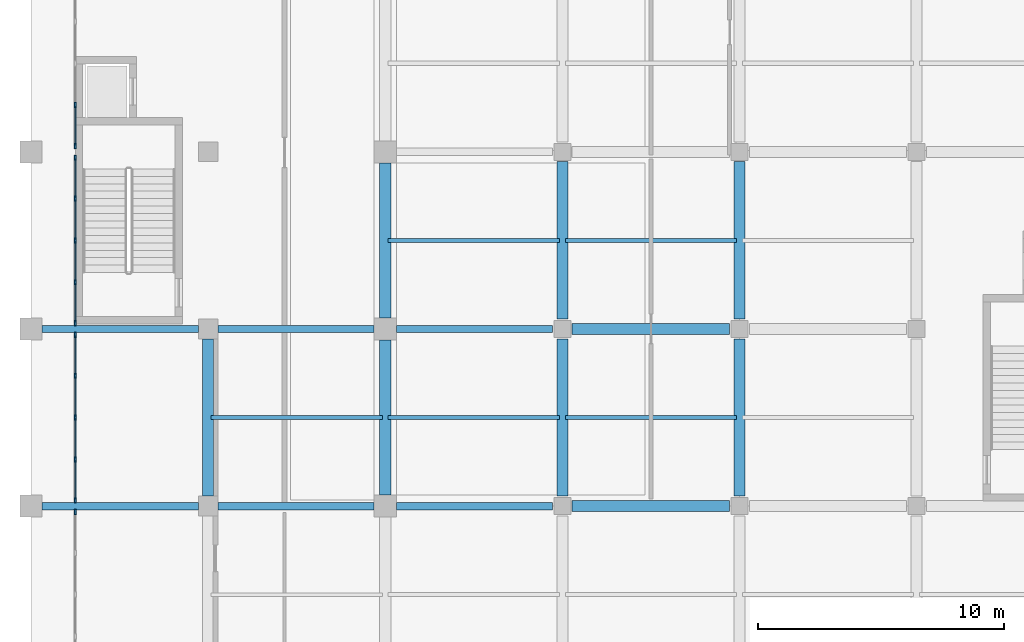
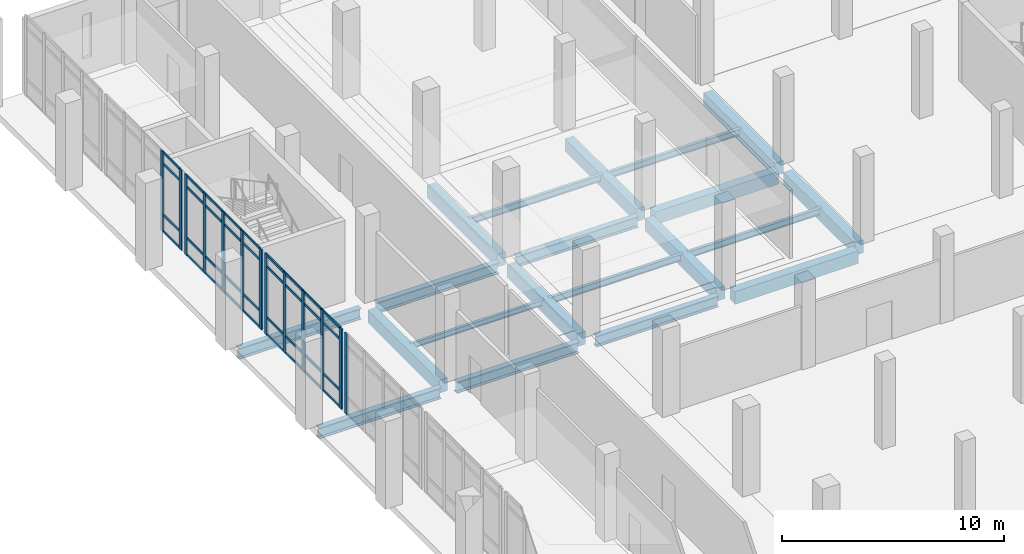
# One storey, part 20 of 59: 49 members, 20 beams, 4 elements without a shape of their own.
"""IFC4 building model written with IfcOpenShell, lengths in metres."""

from ifc_helpers import new_model, si_unit, direction, frame, origin, origin_2d, place, context, subcontext, project, spatial, rectangle, i_section, extrude, material, layer, layer_set, material_profile, profile_set, type_object, element, aggregate, save


model = new_model("IFC4")

# Units and contexts
model_context = context("Model", 3, precision=1e-05, world=origin(), true_north=direction((0.0, 1.0)))
body_context = subcontext(model_context, "Body", "Model", "MODEL_VIEW")
ifc_project = project(units=[si_unit("LENGTHUNIT", "METRE"), si_unit("AREAUNIT", "SQUARE_METRE"), si_unit("VOLUMEUNIT", "CUBIC_METRE"), si_unit("PLANEANGLEUNIT", "RADIAN"), si_unit("MASSUNIT", "GRAM", prefix="KILO")], contexts=[model_context])

# Site, building, storey
site_placement = place(None, origin())
site = spatial("IfcSite", under=ifc_project, at=site_placement, CompositionType="ELEMENT")
building_placement = place(site_placement, origin())
building = spatial("IfcBuilding", under=site, at=building_placement, Name="Valkovuoma Quantum and Materials Research Institute", CompositionType="ELEMENT")
storey_placement = place(building_placement, origin())
storey = spatial("IfcBuildingStorey", under=building, at=storey_placement, Name="L00", CompositionType="ELEMENT", Elevation=0.0)

# Beams
ifc_material_1 = material(Name="Steel S355J2", Category="steel")
ifc_material_profile_1 = material_profile(ifc_material_1, i_section(OverallWidth=0.300048828125, OverallDepth=0.60009765625, WebThickness=0.015380859375, FlangeThickness=0.030029296875, FilletRadius=0.027099609375, at=origin_2d()), Name="Steel S355J2")
ifc_profile_set_1 = profile_set([ifc_material_profile_1], Name="Steel S355J2")
beam_type_1 = type_object("IfcBeamType", Name="Beam-B-HEB600", PredefinedType="BEAM", material=ifc_profile_set_1)
beam_1_placement = place(storey_placement, frame((0.449951171875, 64.800048828125, -0.699951171875), z_axis=(1.0, 0.0, 0.0), x_axis=(0.0, 1.0, 0.0)))
element("IfcBeam", 1, at=beam_1_placement, inside=storey, type_object=beam_type_1, Name="L00 beam X-0112", PredefinedType="BEAM", context=body_context, shape_type="SweptSolid", body=[
    extrude(i_section(OverallWidth=0.300048828125, OverallDepth=0.60009765625, WebThickness=0.015380859375, FlangeThickness=0.030029296875, FilletRadius=0.027099609375, at=origin_2d()), origin(), (0.0, 0.0, 1.0), 6.35009765625),
])
for number, where, z_axis, x_axis, name in (
    (2, (7.60009765625, 64.800048828125, -0.699951171875), (1.0, 0.0, 0.0), (0.0, 1.0, 0.0), "L00 beam X-0113"),
    (3, (14.85009765625, 64.800048828125, -0.699951171875), (1.0, 0.0, 0.0), (0.0, 1.0, 0.0), "L00 beam X-0114"),
):
    element("IfcBeam", number, at=place(storey_placement, frame(where, z_axis=z_axis, x_axis=x_axis)), inside=storey, type_object=beam_type_1, Name=name, PredefinedType="BEAM", context=body_context, shape_type="SweptSolid", body=[
        extrude(i_section(OverallWidth=0.300048828125, OverallDepth=0.60009765625, WebThickness=0.015380859375, FlangeThickness=0.030029296875, FilletRadius=0.027099609375, at=origin_2d()), origin(), (0.0, 0.0, 1.0), 6.349853515625),
    ])
beam_2_placement = place(storey_placement, frame((0.449951171875, 72.0, -0.699951171875), z_axis=(1.0, 0.0, 0.0), x_axis=(0.0, 1.0, 0.0)))
element("IfcBeam", 4, at=beam_2_placement, inside=storey, type_object=beam_type_1, Name="L00 beam X-0131", PredefinedType="BEAM", context=body_context, shape_type="SweptSolid", body=[
    extrude(i_section(OverallWidth=0.300048828125, OverallDepth=0.60009765625, WebThickness=0.015380859375, FlangeThickness=0.030029296875, FilletRadius=0.027099609375, at=origin_2d()), origin(), (0.0, 0.0, 1.0), 6.35009765625),
])
for number, where, z_axis, x_axis, name in (
    (5, (7.60009765625, 72.0, -0.699951171875), (1.0, 0.0, 0.0), (0.0, 1.0, 0.0), "L00 beam X-0132"),
    (6, (14.85009765625, 72.0, -0.699951171875), (1.0, 0.0, 0.0), (0.0, 1.0, 0.0), "L00 beam X-0133"),
):
    element("IfcBeam", number, at=place(storey_placement, frame(where, z_axis=z_axis, x_axis=x_axis)), inside=storey, type_object=beam_type_1, Name=name, PredefinedType="BEAM", context=body_context, shape_type="SweptSolid", body=[
        extrude(i_section(OverallWidth=0.300048828125, OverallDepth=0.60009765625, WebThickness=0.015380859375, FlangeThickness=0.030029296875, FilletRadius=0.027099609375, at=origin_2d()), origin(), (0.0, 0.0, 1.0), 6.349853515625),
    ])
ifc_material_2 = material(Name="Steel S355J2", Category="steel")
ifc_material_profile_2 = material_profile(ifc_material_2, i_section(OverallWidth=0.14990234375, OverallDepth=0.300048828125, WebThickness=0.007080078125, FlangeThickness=0.0107421875, FilletRadius=0.014892578125, at=origin_2d()), Name="Steel S355J2")
ifc_profile_set_2 = profile_set([ifc_material_profile_2], Name="Steel S355J2")
beam_type_2 = type_object("IfcBeamType", Name="Beam-B-JST300", PredefinedType="JOIST", material=ifc_profile_set_2)
beam_3_placement = place(storey_placement, frame((7.320068359375, 68.39990234375, -0.550048828125), z_axis=(1.0, 0.0, 0.0), x_axis=(0.0, 1.0, 0.0)))
element("IfcBeam", 7, at=beam_3_placement, inside=storey, type_object=beam_type_2, Name="L00 floor joist 0488", PredefinedType="JOIST", context=body_context, shape_type="SweptSolid", body=[
    extrude(i_section(OverallWidth=0.14990234375, OverallDepth=0.300048828125, WebThickness=0.007080078125, FlangeThickness=0.0107421875, FilletRadius=0.014892578125, at=origin_2d()), origin(), (0.0, 0.0, 1.0), 6.9599609375),
])
ifc_material_3 = material(Name="Steel S355J2", Category="steel")
ifc_material_profile_3 = material_profile(ifc_material_3, i_section(OverallWidth=0.169921875, OverallDepth=0.360107421875, WebThickness=0.008056640625, FlangeThickness=0.0126953125, FilletRadius=0.01806640625, at=origin_2d()), Name="Steel S355J2")
ifc_profile_set_3 = profile_set([ifc_material_profile_3], Name="Steel S355J2")
beam_type_3 = type_object("IfcBeamType", Name="Beam-B-JST360", PredefinedType="JOIST", material=ifc_profile_set_3)
for number, where, z_axis, x_axis, name in (
    (8, (14.52001953125, 68.39990234375, -0.580078125), (1.0, 0.0, 0.0), (0.0, 1.0, 0.0), "L00 floor joist 0489"),
    (9, (21.719970703125, 68.39990234375, -0.580078125), (1.0, 0.0, 0.0), (0.0, 1.0, 0.0), "L00 floor joist 0490"),
    (10, (14.52001953125, 75.60009765625, -0.580078125), (1.0, 0.0, 0.0), (0.0, 1.0, 0.0), "L00 floor joist 0496"),
    (11, (21.719970703125, 75.60009765625, -0.580078125), (1.0, 0.0, 0.0), (0.0, 1.0, 0.0), "L00 floor joist 0497"),
):
    element("IfcBeam", number, at=place(storey_placement, frame(where, z_axis=z_axis, x_axis=x_axis)), inside=storey, type_object=beam_type_3, Name=name, PredefinedType="JOIST", context=body_context, shape_type="SweptSolid", body=[
        extrude(i_section(OverallWidth=0.169921875, OverallDepth=0.360107421875, WebThickness=0.008056640625, FlangeThickness=0.0126953125, FilletRadius=0.01806640625, at=origin_2d()), origin(), (0.0, 0.0, 1.0), 6.9599609375),
    ])
ifc_material_4 = material(Name="Concrete C40/50", Category="concrete")
ifc_material_profile_4 = material_profile(ifc_material_4, rectangle(XDim=0.449951171875, YDim=0.699951171875, at=origin_2d()), Name="Concrete C40/50")
ifc_profile_set_4 = profile_set([ifc_material_profile_4], Name="Concrete C40/50")
beam_type_4 = type_object("IfcBeamType", Name="Beam-B-RC700", PredefinedType="BEAM", material=ifc_profile_set_4)
for number, where, z_axis, x_axis, name in (
    (12, (22.0, 64.800048828125, -0.75), (1.0, 0.0, 0.0), (0.0, 1.0, 0.0), "L00 beam X-0115"),
    (13, (22.0, 72.0, -0.75), (1.0, 0.0, 0.0), (0.0, 1.0, 0.0), "L00 beam X-0134"),
):
    element("IfcBeam", number, at=place(storey_placement, frame(where, z_axis=z_axis, x_axis=x_axis)), inside=storey, type_object=beam_type_4, Name=name, PredefinedType="BEAM", context=body_context, shape_type="SweptSolid", body=[
        extrude(rectangle(XDim=0.449951171875, YDim=0.699951171875, at=origin_2d()), origin(), (0.0, 0.0, 1.0), 6.39990234375),
    ])
beam_4_placement = place(storey_placement, frame((7.199951171875, 65.199951171875, -0.75), z_axis=(0.0, 1.0, 0.0), x_axis=(-1.0, 0.0, 0.0)))
element("IfcBeam", 14, at=beam_4_placement, inside=storey, type_object=beam_type_4, Name="L00 beam Y-0203", PredefinedType="BEAM", context=body_context, shape_type="SweptSolid", body=[
    extrude(rectangle(XDim=0.449951171875, YDim=0.699951171875, at=origin_2d()), origin(), (0.0, 0.0, 1.0), 6.400146484375),
])
for number, where, z_axis, x_axis, name in (
    (15, (14.39990234375, 65.25, -0.75), (0.0, 1.0, 0.0), (-1.0, 0.0, 0.0), "L00 beam Y-0210"),
    (16, (14.39990234375, 72.449951171875, -0.75), (0.0, 1.0, 0.0), (-1.0, 0.0, 0.0), "L00 beam Y-0211"),
):
    element("IfcBeam", number, at=place(storey_placement, frame(where, z_axis=z_axis, x_axis=x_axis)), inside=storey, type_object=beam_type_4, Name=name, PredefinedType="BEAM", context=body_context, shape_type="SweptSolid", body=[
        extrude(rectangle(XDim=0.449951171875, YDim=0.699951171875, at=origin_2d()), origin(), (0.0, 0.0, 1.0), 6.300048828125),
    ])
for number, where, z_axis, x_axis, name in (
    (17, (21.60009765625, 65.199951171875, -0.75), (0.0, 1.0, 0.0), (-1.0, 0.0, 0.0), "L00 beam Y-0220"),
    (18, (21.60009765625, 72.39990234375, -0.75), (0.0, 1.0, 0.0), (-1.0, 0.0, 0.0), "L00 beam Y-0221"),
    (19, (28.800048828125, 65.199951171875, -0.75), (0.0, 1.0, 0.0), (-1.0, 0.0, 0.0), "L00 beam Y-0230"),
    (20, (28.800048828125, 72.39990234375, -0.75), (0.0, 1.0, 0.0), (-1.0, 0.0, 0.0), "L00 beam Y-0231"),
):
    element("IfcBeam", number, at=place(storey_placement, frame(where, z_axis=z_axis, x_axis=x_axis)), inside=storey, type_object=beam_type_4, Name=name, PredefinedType="BEAM", context=body_context, shape_type="SweptSolid", body=[
        extrude(rectangle(XDim=0.449951171875, YDim=0.699951171875, at=origin_2d()), origin(), (0.0, 0.0, 1.0), 6.400146484375),
    ])

# Curtain wall, member
ifc_material_5 = material(Name="Thermally broken aluminium and triple low-E glazing", Category="aluminium")
ifc_layer = layer(ifc_material_5, 0.219970703125)
ifc_layer_set = layer_set([ifc_layer], Name="Thermally broken aluminium and triple low-E glazing")
curtain_wall_type = type_object("IfcCurtainWallType", Name="CW-CW-03", PredefinedType="NOTDEFINED", material=ifc_layer_set)
curtain_wall_1_placement = place(storey_placement, origin())
curtain_wall_1 = element("IfcCurtainWall", 21, at=curtain_wall_1_placement, inside=storey, type_object=curtain_wall_type, Name="L00 curtain wall 004", PredefinedType="NOTDEFINED")
ifc_material_6 = material(Name="Anodised aluminium 6060-T66", Category="aluminium")
ifc_material_profile_5 = material_profile(ifc_material_6, rectangle(XDim=0.074951171875, YDim=0.219970703125, at=origin_2d()), Name="Anodised aluminium 6060-T66")
ifc_profile_set_5 = profile_set([ifc_material_profile_5], Name="Anodised aluminium 6060-T66")
member_type_1 = type_object("IfcMemberType", Name="CWMull-CWM-02", PredefinedType="MULLION", material=ifc_profile_set_5)
member_1_placement = place(storey_placement, frame((1.800048828125, 64.5625, 0.0), z_axis=(0.0, 0.0, 1.0), x_axis=(-1.0, 0.0, 0.0)))
member_1 = element("IfcMember", 22, at=member_1_placement, type_object=member_type_1, Name="CW-03 mullion 5", PredefinedType="MULLION", context=body_context, shape_type="SweptSolid", body=[
    extrude(rectangle(XDim=0.074951171875, YDim=0.219970703125, at=origin_2d()), origin(), (0.0, 0.0, 1.0), 4.39990234375),
])
aggregate(curtain_wall_1, [member_1])

# Curtain wall, members
curtain_wall_2_placement = place(storey_placement, origin())
curtain_wall_2 = element("IfcCurtainWall", 23, at=curtain_wall_2_placement, inside=storey, type_object=curtain_wall_type, Name="L00 curtain wall 005", PredefinedType="NOTDEFINED")
member_2_placement = place(storey_placement, frame((1.800048828125, 65.03759765625, 0.0), z_axis=(0.0, 0.0, 1.0), x_axis=(-1.0, 0.0, 0.0)))
member_2 = element("IfcMember", 24, at=member_2_placement, type_object=member_type_1, Name="CW-03 mullion 1", PredefinedType="MULLION", context=body_context, shape_type="SweptSolid", body=[
    extrude(rectangle(XDim=0.074951171875, YDim=0.219970703125, at=origin_2d()), origin(), (0.0, 0.0, 1.0), 4.39990234375),
])
member_3_placement = place(storey_placement, frame((1.800048828125, 66.699951171875, 0.0), z_axis=(0.0, 0.0, 1.0), x_axis=(-1.0, 0.0, 0.0)))
member_3 = element("IfcMember", 25, at=member_3_placement, type_object=member_type_1, Name="CW-03 mullion 2", PredefinedType="MULLION", context=body_context, shape_type="SweptSolid", body=[
    extrude(rectangle(XDim=0.074951171875, YDim=0.219970703125, at=origin_2d()), origin(), (0.0, 0.0, 1.0), 4.39990234375),
])
member_4_placement = place(storey_placement, frame((1.800048828125, 68.39990234375, 0.0), z_axis=(0.0, 0.0, 1.0), x_axis=(-1.0, 0.0, 0.0)))
member_4 = element("IfcMember", 26, at=member_4_placement, type_object=member_type_1, Name="CW-03 mullion 3", PredefinedType="MULLION", context=body_context, shape_type="SweptSolid", body=[
    extrude(rectangle(XDim=0.074951171875, YDim=0.219970703125, at=origin_2d()), origin(), (0.0, 0.0, 1.0), 4.39990234375),
])
member_5_placement = place(storey_placement, frame((1.800048828125, 70.10009765625, 0.0), z_axis=(0.0, 0.0, 1.0), x_axis=(-1.0, 0.0, 0.0)))
member_5 = element("IfcMember", 27, at=member_5_placement, type_object=member_type_1, Name="CW-03 mullion 4", PredefinedType="MULLION", context=body_context, shape_type="SweptSolid", body=[
    extrude(rectangle(XDim=0.074951171875, YDim=0.219970703125, at=origin_2d()), origin(), (0.0, 0.0, 1.0), 4.39990234375),
])
member_6_placement = place(storey_placement, frame((1.800048828125, 71.762451171875, 0.0), z_axis=(0.0, 0.0, 1.0), x_axis=(-1.0, 0.0, 0.0)))
member_6 = element("IfcMember", 28, at=member_6_placement, type_object=member_type_1, Name="CW-03 mullion 5", PredefinedType="MULLION", context=body_context, shape_type="SweptSolid", body=[
    extrude(rectangle(XDim=0.074951171875, YDim=0.219970703125, at=origin_2d()), origin(), (0.0, 0.0, 1.0), 4.39990234375),
])

curtain_wall_3_placement = place(storey_placement, origin())
curtain_wall_3 = element("IfcCurtainWall", 29, at=curtain_wall_3_placement, inside=storey, type_object=curtain_wall_type, Name="L00 curtain wall CW-L00-V5-10", PredefinedType="NOTDEFINED")
member_7_placement = place(storey_placement, frame((1.800048828125, 72.237548828125, 0.0), z_axis=(0.0, 0.0, 1.0), x_axis=(-1.0, 0.0, 0.0)))
member_7 = element("IfcMember", 30, at=member_7_placement, type_object=member_type_1, Name="CW-03 mullion 1", PredefinedType="MULLION", context=body_context, shape_type="SweptSolid", body=[
    extrude(rectangle(XDim=0.074951171875, YDim=0.219970703125, at=origin_2d()), origin(), (0.0, 0.0, 1.0), 4.39990234375),
])
member_8_placement = place(storey_placement, frame((1.800048828125, 73.89990234375, 0.0), z_axis=(0.0, 0.0, 1.0), x_axis=(-1.0, 0.0, 0.0)))
member_8 = element("IfcMember", 31, at=member_8_placement, type_object=member_type_1, Name="CW-03 mullion 2", PredefinedType="MULLION", context=body_context, shape_type="SweptSolid", body=[
    extrude(rectangle(XDim=0.074951171875, YDim=0.219970703125, at=origin_2d()), origin(), (0.0, 0.0, 1.0), 4.39990234375),
])
member_9_placement = place(storey_placement, frame((1.800048828125, 75.60009765625, 0.0), z_axis=(0.0, 0.0, 1.0), x_axis=(-1.0, 0.0, 0.0)))
member_9 = element("IfcMember", 32, at=member_9_placement, type_object=member_type_1, Name="CW-03 mullion 3", PredefinedType="MULLION", context=body_context, shape_type="SweptSolid", body=[
    extrude(rectangle(XDim=0.074951171875, YDim=0.219970703125, at=origin_2d()), origin(), (0.0, 0.0, 1.0), 4.39990234375),
])
member_10_placement = place(storey_placement, frame((1.800048828125, 77.300048828125, 0.0), z_axis=(0.0, 0.0, 1.0), x_axis=(-1.0, 0.0, 0.0)))
member_10 = element("IfcMember", 33, at=member_10_placement, type_object=member_type_1, Name="CW-03 mullion 4", PredefinedType="MULLION", context=body_context, shape_type="SweptSolid", body=[
    extrude(rectangle(XDim=0.074951171875, YDim=0.219970703125, at=origin_2d()), origin(), (0.0, 0.0, 1.0), 4.39990234375),
])
member_11_placement = place(storey_placement, frame((1.800048828125, 78.96240234375, 0.0), z_axis=(0.0, 0.0, 1.0), x_axis=(-1.0, 0.0, 0.0)))
member_11 = element("IfcMember", 34, at=member_11_placement, type_object=member_type_1, Name="CW-03 mullion 5", PredefinedType="MULLION", context=body_context, shape_type="SweptSolid", body=[
    extrude(rectangle(XDim=0.074951171875, YDim=0.219970703125, at=origin_2d()), origin(), (0.0, 0.0, 1.0), 4.39990234375),
])

curtain_wall_4_placement = place(storey_placement, origin())
curtain_wall_4 = element("IfcCurtainWall", 35, at=curtain_wall_4_placement, inside=storey, type_object=curtain_wall_type, Name="L00 curtain wall 006", PredefinedType="NOTDEFINED")
member_12_placement = place(storey_placement, frame((1.800048828125, 79.4375, 0.0), z_axis=(0.0, 0.0, 1.0), x_axis=(-1.0, 0.0, 0.0)))
member_12 = element("IfcMember", 36, at=member_12_placement, type_object=member_type_1, Name="CW-03 mullion 1", PredefinedType="MULLION", context=body_context, shape_type="SweptSolid", body=[
    extrude(rectangle(XDim=0.074951171875, YDim=0.219970703125, at=origin_2d()), origin(), (0.0, 0.0, 1.0), 4.39990234375),
])
member_13_placement = place(storey_placement, frame((1.800048828125, 81.10009765625, 0.0), z_axis=(0.0, 0.0, 1.0), x_axis=(-1.0, 0.0, 0.0)))
member_13 = element("IfcMember", 37, at=member_13_placement, type_object=member_type_1, Name="CW-03 mullion 2", PredefinedType="MULLION", context=body_context, shape_type="SweptSolid", body=[
    extrude(rectangle(XDim=0.074951171875, YDim=0.219970703125, at=origin_2d()), origin(), (0.0, 0.0, 1.0), 4.39990234375),
])

# Member
ifc_material_7 = material(Name="Anodised aluminium 6060-T66", Category="aluminium")
ifc_material_profile_6 = material_profile(ifc_material_7, rectangle(XDim=0.06494140625, YDim=0.139892578125, at=origin_2d()), Name="Anodised aluminium 6060-T66")
ifc_profile_set_6 = profile_set([ifc_material_profile_6], Name="Anodised aluminium 6060-T66")
member_type_2 = type_object("IfcMemberType", Name="CWTran-CWT-01", PredefinedType="USERDEFINED", material=ifc_profile_set_6)
member_14_placement = place(storey_placement, frame((1.800048828125, 65.074951171875, 0.032470703125), z_axis=(0.0, 1.0, 0.0), x_axis=(-1.0, 0.0, 0.0)))
member_14 = element("IfcMember", 38, at=member_14_placement, type_object=member_type_2, Name="CW-03 transom 1.1", ObjectType="TRANSOM", PredefinedType="USERDEFINED", context=body_context, shape_type="SweptSolid", body=[
    extrude(rectangle(XDim=0.06494140625, YDim=0.139892578125, at=origin_2d()), origin(), (0.0, 0.0, 1.0), 1.587646484375),
])

member_15_placement = place(storey_placement, frame((1.800048828125, 65.074951171875, 0.949951171875), z_axis=(0.0, 1.0, 0.0), x_axis=(-1.0, 0.0, 0.0)))
member_15 = element("IfcMember", 39, at=member_15_placement, type_object=member_type_2, Name="CW-03 transom 1.2", ObjectType="TRANSOM", PredefinedType="USERDEFINED", context=body_context, shape_type="SweptSolid", body=[
    extrude(rectangle(XDim=0.06494140625, YDim=0.139892578125, at=origin_2d()), origin(), (0.0, 0.0, 1.0), 1.587646484375),
])

member_16_placement = place(storey_placement, frame((1.800048828125, 65.074951171875, 3.75), z_axis=(0.0, 1.0, 0.0), x_axis=(-1.0, 0.0, 0.0)))
member_16 = element("IfcMember", 40, at=member_16_placement, type_object=member_type_2, Name="CW-03 transom 1.3", ObjectType="TRANSOM", PredefinedType="USERDEFINED", context=body_context, shape_type="SweptSolid", body=[
    extrude(rectangle(XDim=0.06494140625, YDim=0.139892578125, at=origin_2d()), origin(), (0.0, 0.0, 1.0), 1.587646484375),
])

member_17_placement = place(storey_placement, frame((1.800048828125, 65.074951171875, 4.367431640625), z_axis=(0.0, 1.0, 0.0), x_axis=(-1.0, 0.0, 0.0)))
member_17 = element("IfcMember", 41, at=member_17_placement, type_object=member_type_2, Name="CW-03 transom 1.4", ObjectType="TRANSOM", PredefinedType="USERDEFINED", context=body_context, shape_type="SweptSolid", body=[
    extrude(rectangle(XDim=0.06494140625, YDim=0.139892578125, at=origin_2d()), origin(), (0.0, 0.0, 1.0), 1.587646484375),
])

member_18_placement = place(storey_placement, frame((1.800048828125, 66.737548828125, 0.032470703125), z_axis=(0.0, 1.0, 0.0), x_axis=(-1.0, 0.0, 0.0)))
member_18 = element("IfcMember", 42, at=member_18_placement, type_object=member_type_2, Name="CW-03 transom 2.1", ObjectType="TRANSOM", PredefinedType="USERDEFINED", context=body_context, shape_type="SweptSolid", body=[
    extrude(rectangle(XDim=0.06494140625, YDim=0.139892578125, at=origin_2d()), origin(), (0.0, 0.0, 1.0), 1.625),
])

member_19_placement = place(storey_placement, frame((1.800048828125, 66.737548828125, 0.949951171875), z_axis=(0.0, 1.0, 0.0), x_axis=(-1.0, 0.0, 0.0)))
member_19 = element("IfcMember", 43, at=member_19_placement, type_object=member_type_2, Name="CW-03 transom 2.2", ObjectType="TRANSOM", PredefinedType="USERDEFINED", context=body_context, shape_type="SweptSolid", body=[
    extrude(rectangle(XDim=0.06494140625, YDim=0.139892578125, at=origin_2d()), origin(), (0.0, 0.0, 1.0), 1.625),
])

member_20_placement = place(storey_placement, frame((1.800048828125, 66.737548828125, 3.75), z_axis=(0.0, 1.0, 0.0), x_axis=(-1.0, 0.0, 0.0)))
member_20 = element("IfcMember", 44, at=member_20_placement, type_object=member_type_2, Name="CW-03 transom 2.3", ObjectType="TRANSOM", PredefinedType="USERDEFINED", context=body_context, shape_type="SweptSolid", body=[
    extrude(rectangle(XDim=0.06494140625, YDim=0.139892578125, at=origin_2d()), origin(), (0.0, 0.0, 1.0), 1.625),
])

member_21_placement = place(storey_placement, frame((1.800048828125, 66.737548828125, 4.367431640625), z_axis=(0.0, 1.0, 0.0), x_axis=(-1.0, 0.0, 0.0)))
member_21 = element("IfcMember", 45, at=member_21_placement, type_object=member_type_2, Name="CW-03 transom 2.4", ObjectType="TRANSOM", PredefinedType="USERDEFINED", context=body_context, shape_type="SweptSolid", body=[
    extrude(rectangle(XDim=0.06494140625, YDim=0.139892578125, at=origin_2d()), origin(), (0.0, 0.0, 1.0), 1.625),
])

member_22_placement = place(storey_placement, frame((1.800048828125, 68.4375, 0.032470703125), z_axis=(0.0, 1.0, 0.0), x_axis=(-1.0, 0.0, 0.0)))
member_22 = element("IfcMember", 46, at=member_22_placement, type_object=member_type_2, Name="CW-03 transom 3.1", ObjectType="TRANSOM", PredefinedType="USERDEFINED", context=body_context, shape_type="SweptSolid", body=[
    extrude(rectangle(XDim=0.06494140625, YDim=0.139892578125, at=origin_2d()), origin(), (0.0, 0.0, 1.0), 1.625),
])

member_23_placement = place(storey_placement, frame((1.800048828125, 68.4375, 0.949951171875), z_axis=(0.0, 1.0, 0.0), x_axis=(-1.0, 0.0, 0.0)))
member_23 = element("IfcMember", 47, at=member_23_placement, type_object=member_type_2, Name="CW-03 transom 3.2", ObjectType="TRANSOM", PredefinedType="USERDEFINED", context=body_context, shape_type="SweptSolid", body=[
    extrude(rectangle(XDim=0.06494140625, YDim=0.139892578125, at=origin_2d()), origin(), (0.0, 0.0, 1.0), 1.625),
])

member_24_placement = place(storey_placement, frame((1.800048828125, 68.4375, 3.75), z_axis=(0.0, 1.0, 0.0), x_axis=(-1.0, 0.0, 0.0)))
member_24 = element("IfcMember", 48, at=member_24_placement, type_object=member_type_2, Name="CW-03 transom 3.3", ObjectType="TRANSOM", PredefinedType="USERDEFINED", context=body_context, shape_type="SweptSolid", body=[
    extrude(rectangle(XDim=0.06494140625, YDim=0.139892578125, at=origin_2d()), origin(), (0.0, 0.0, 1.0), 1.625),
])

member_25_placement = place(storey_placement, frame((1.800048828125, 68.4375, 4.367431640625), z_axis=(0.0, 1.0, 0.0), x_axis=(-1.0, 0.0, 0.0)))
member_25 = element("IfcMember", 49, at=member_25_placement, type_object=member_type_2, Name="CW-03 transom 3.4", ObjectType="TRANSOM", PredefinedType="USERDEFINED", context=body_context, shape_type="SweptSolid", body=[
    extrude(rectangle(XDim=0.06494140625, YDim=0.139892578125, at=origin_2d()), origin(), (0.0, 0.0, 1.0), 1.625),
])

member_26_placement = place(storey_placement, frame((1.800048828125, 70.137451171875, 0.032470703125), z_axis=(0.0, 1.0, 0.0), x_axis=(-1.0, 0.0, 0.0)))
member_26 = element("IfcMember", 50, at=member_26_placement, type_object=member_type_2, Name="CW-03 transom 4.1", ObjectType="TRANSOM", PredefinedType="USERDEFINED", context=body_context, shape_type="SweptSolid", body=[
    extrude(rectangle(XDim=0.06494140625, YDim=0.139892578125, at=origin_2d()), origin(), (0.0, 0.0, 1.0), 1.587646484375),
])

member_27_placement = place(storey_placement, frame((1.800048828125, 70.137451171875, 0.949951171875), z_axis=(0.0, 1.0, 0.0), x_axis=(-1.0, 0.0, 0.0)))
member_27 = element("IfcMember", 51, at=member_27_placement, type_object=member_type_2, Name="CW-03 transom 4.2", ObjectType="TRANSOM", PredefinedType="USERDEFINED", context=body_context, shape_type="SweptSolid", body=[
    extrude(rectangle(XDim=0.06494140625, YDim=0.139892578125, at=origin_2d()), origin(), (0.0, 0.0, 1.0), 1.587646484375),
])

member_28_placement = place(storey_placement, frame((1.800048828125, 70.137451171875, 3.75), z_axis=(0.0, 1.0, 0.0), x_axis=(-1.0, 0.0, 0.0)))
member_28 = element("IfcMember", 52, at=member_28_placement, type_object=member_type_2, Name="CW-03 transom 4.3", ObjectType="TRANSOM", PredefinedType="USERDEFINED", context=body_context, shape_type="SweptSolid", body=[
    extrude(rectangle(XDim=0.06494140625, YDim=0.139892578125, at=origin_2d()), origin(), (0.0, 0.0, 1.0), 1.587646484375),
])

member_29_placement = place(storey_placement, frame((1.800048828125, 70.137451171875, 4.367431640625), z_axis=(0.0, 1.0, 0.0), x_axis=(-1.0, 0.0, 0.0)))
member_29 = element("IfcMember", 53, at=member_29_placement, type_object=member_type_2, Name="CW-03 transom 4.4", ObjectType="TRANSOM", PredefinedType="USERDEFINED", context=body_context, shape_type="SweptSolid", body=[
    extrude(rectangle(XDim=0.06494140625, YDim=0.139892578125, at=origin_2d()), origin(), (0.0, 0.0, 1.0), 1.587646484375),
])

aggregate(curtain_wall_2, [member_2, member_3, member_4, member_5, member_6, member_14, member_15, member_16, member_17, member_18, member_19, member_20, member_21, member_22, member_23, member_24, member_25, member_26, member_27, member_28, member_29])

member_30_placement = place(storey_placement, frame((1.800048828125, 72.27490234375, 0.032470703125), z_axis=(0.0, 1.0, 0.0), x_axis=(-1.0, 0.0, 0.0)))
member_30 = element("IfcMember", 54, at=member_30_placement, type_object=member_type_2, Name="CW-03 transom 1.1", ObjectType="TRANSOM", PredefinedType="USERDEFINED", context=body_context, shape_type="SweptSolid", body=[
    extrude(rectangle(XDim=0.06494140625, YDim=0.139892578125, at=origin_2d()), origin(), (0.0, 0.0, 1.0), 1.587646484375),
])

member_31_placement = place(storey_placement, frame((1.800048828125, 72.27490234375, 0.949951171875), z_axis=(0.0, 1.0, 0.0), x_axis=(-1.0, 0.0, 0.0)))
member_31 = element("IfcMember", 55, at=member_31_placement, type_object=member_type_2, Name="CW-03 transom 1.2", ObjectType="TRANSOM", PredefinedType="USERDEFINED", context=body_context, shape_type="SweptSolid", body=[
    extrude(rectangle(XDim=0.06494140625, YDim=0.139892578125, at=origin_2d()), origin(), (0.0, 0.0, 1.0), 1.587646484375),
])

member_32_placement = place(storey_placement, frame((1.800048828125, 72.27490234375, 3.75), z_axis=(0.0, 1.0, 0.0), x_axis=(-1.0, 0.0, 0.0)))
member_32 = element("IfcMember", 56, at=member_32_placement, type_object=member_type_2, Name="CW-03 transom 1.3", ObjectType="TRANSOM", PredefinedType="USERDEFINED", context=body_context, shape_type="SweptSolid", body=[
    extrude(rectangle(XDim=0.06494140625, YDim=0.139892578125, at=origin_2d()), origin(), (0.0, 0.0, 1.0), 1.587646484375),
])

member_33_placement = place(storey_placement, frame((1.800048828125, 72.27490234375, 4.367431640625), z_axis=(0.0, 1.0, 0.0), x_axis=(-1.0, 0.0, 0.0)))
member_33 = element("IfcMember", 57, at=member_33_placement, type_object=member_type_2, Name="CW-03 transom 1.4", ObjectType="TRANSOM", PredefinedType="USERDEFINED", context=body_context, shape_type="SweptSolid", body=[
    extrude(rectangle(XDim=0.06494140625, YDim=0.139892578125, at=origin_2d()), origin(), (0.0, 0.0, 1.0), 1.587646484375),
])

member_34_placement = place(storey_placement, frame((1.800048828125, 73.9375, 0.032470703125), z_axis=(0.0, 1.0, 0.0), x_axis=(-1.0, 0.0, 0.0)))
member_34 = element("IfcMember", 58, at=member_34_placement, type_object=member_type_2, Name="CW-03 transom 2.1", ObjectType="TRANSOM", PredefinedType="USERDEFINED", context=body_context, shape_type="SweptSolid", body=[
    extrude(rectangle(XDim=0.06494140625, YDim=0.139892578125, at=origin_2d()), origin(), (0.0, 0.0, 1.0), 1.625),
])

member_35_placement = place(storey_placement, frame((1.800048828125, 73.9375, 0.949951171875), z_axis=(0.0, 1.0, 0.0), x_axis=(-1.0, 0.0, 0.0)))
member_35 = element("IfcMember", 59, at=member_35_placement, type_object=member_type_2, Name="CW-03 transom 2.2", ObjectType="TRANSOM", PredefinedType="USERDEFINED", context=body_context, shape_type="SweptSolid", body=[
    extrude(rectangle(XDim=0.06494140625, YDim=0.139892578125, at=origin_2d()), origin(), (0.0, 0.0, 1.0), 1.625),
])

member_36_placement = place(storey_placement, frame((1.800048828125, 73.9375, 3.75), z_axis=(0.0, 1.0, 0.0), x_axis=(-1.0, 0.0, 0.0)))
member_36 = element("IfcMember", 60, at=member_36_placement, type_object=member_type_2, Name="CW-03 transom 2.3", ObjectType="TRANSOM", PredefinedType="USERDEFINED", context=body_context, shape_type="SweptSolid", body=[
    extrude(rectangle(XDim=0.06494140625, YDim=0.139892578125, at=origin_2d()), origin(), (0.0, 0.0, 1.0), 1.625),
])

member_37_placement = place(storey_placement, frame((1.800048828125, 73.9375, 4.367431640625), z_axis=(0.0, 1.0, 0.0), x_axis=(-1.0, 0.0, 0.0)))
member_37 = element("IfcMember", 61, at=member_37_placement, type_object=member_type_2, Name="CW-03 transom 2.4", ObjectType="TRANSOM", PredefinedType="USERDEFINED", context=body_context, shape_type="SweptSolid", body=[
    extrude(rectangle(XDim=0.06494140625, YDim=0.139892578125, at=origin_2d()), origin(), (0.0, 0.0, 1.0), 1.625),
])

member_38_placement = place(storey_placement, frame((1.800048828125, 75.637451171875, 0.032470703125), z_axis=(0.0, 1.0, 0.0), x_axis=(-1.0, 0.0, 0.0)))
member_38 = element("IfcMember", 62, at=member_38_placement, type_object=member_type_2, Name="CW-03 transom 3.1", ObjectType="TRANSOM", PredefinedType="USERDEFINED", context=body_context, shape_type="SweptSolid", body=[
    extrude(rectangle(XDim=0.06494140625, YDim=0.139892578125, at=origin_2d()), origin(), (0.0, 0.0, 1.0), 1.625),
])

member_39_placement = place(storey_placement, frame((1.800048828125, 75.637451171875, 0.949951171875), z_axis=(0.0, 1.0, 0.0), x_axis=(-1.0, 0.0, 0.0)))
member_39 = element("IfcMember", 63, at=member_39_placement, type_object=member_type_2, Name="CW-03 transom 3.2", ObjectType="TRANSOM", PredefinedType="USERDEFINED", context=body_context, shape_type="SweptSolid", body=[
    extrude(rectangle(XDim=0.06494140625, YDim=0.139892578125, at=origin_2d()), origin(), (0.0, 0.0, 1.0), 1.625),
])

member_40_placement = place(storey_placement, frame((1.800048828125, 75.637451171875, 3.75), z_axis=(0.0, 1.0, 0.0), x_axis=(-1.0, 0.0, 0.0)))
member_40 = element("IfcMember", 64, at=member_40_placement, type_object=member_type_2, Name="CW-03 transom 3.3", ObjectType="TRANSOM", PredefinedType="USERDEFINED", context=body_context, shape_type="SweptSolid", body=[
    extrude(rectangle(XDim=0.06494140625, YDim=0.139892578125, at=origin_2d()), origin(), (0.0, 0.0, 1.0), 1.625),
])

member_41_placement = place(storey_placement, frame((1.800048828125, 75.637451171875, 4.367431640625), z_axis=(0.0, 1.0, 0.0), x_axis=(-1.0, 0.0, 0.0)))
member_41 = element("IfcMember", 65, at=member_41_placement, type_object=member_type_2, Name="CW-03 transom 3.4", ObjectType="TRANSOM", PredefinedType="USERDEFINED", context=body_context, shape_type="SweptSolid", body=[
    extrude(rectangle(XDim=0.06494140625, YDim=0.139892578125, at=origin_2d()), origin(), (0.0, 0.0, 1.0), 1.625),
])

member_42_placement = place(storey_placement, frame((1.800048828125, 77.33740234375, 0.032470703125), z_axis=(0.0, 1.0, 0.0), x_axis=(-1.0, 0.0, 0.0)))
member_42 = element("IfcMember", 66, at=member_42_placement, type_object=member_type_2, Name="CW-03 transom 4.1", ObjectType="TRANSOM", PredefinedType="USERDEFINED", context=body_context, shape_type="SweptSolid", body=[
    extrude(rectangle(XDim=0.06494140625, YDim=0.139892578125, at=origin_2d()), origin(), (0.0, 0.0, 1.0), 1.587646484375),
])

member_43_placement = place(storey_placement, frame((1.800048828125, 77.33740234375, 0.949951171875), z_axis=(0.0, 1.0, 0.0), x_axis=(-1.0, 0.0, 0.0)))
member_43 = element("IfcMember", 67, at=member_43_placement, type_object=member_type_2, Name="CW-03 transom 4.2", ObjectType="TRANSOM", PredefinedType="USERDEFINED", context=body_context, shape_type="SweptSolid", body=[
    extrude(rectangle(XDim=0.06494140625, YDim=0.139892578125, at=origin_2d()), origin(), (0.0, 0.0, 1.0), 1.587646484375),
])

member_44_placement = place(storey_placement, frame((1.800048828125, 77.33740234375, 3.75), z_axis=(0.0, 1.0, 0.0), x_axis=(-1.0, 0.0, 0.0)))
member_44 = element("IfcMember", 68, at=member_44_placement, type_object=member_type_2, Name="CW-03 transom 4.3", ObjectType="TRANSOM", PredefinedType="USERDEFINED", context=body_context, shape_type="SweptSolid", body=[
    extrude(rectangle(XDim=0.06494140625, YDim=0.139892578125, at=origin_2d()), origin(), (0.0, 0.0, 1.0), 1.587646484375),
])

member_45_placement = place(storey_placement, frame((1.800048828125, 77.33740234375, 4.367431640625), z_axis=(0.0, 1.0, 0.0), x_axis=(-1.0, 0.0, 0.0)))
member_45 = element("IfcMember", 69, at=member_45_placement, type_object=member_type_2, Name="CW-03 transom 4.4", ObjectType="TRANSOM", PredefinedType="USERDEFINED", context=body_context, shape_type="SweptSolid", body=[
    extrude(rectangle(XDim=0.06494140625, YDim=0.139892578125, at=origin_2d()), origin(), (0.0, 0.0, 1.0), 1.587646484375),
])

aggregate(curtain_wall_3, [member_7, member_8, member_9, member_10, member_11, member_30, member_31, member_32, member_33, member_34, member_35, member_36, member_37, member_38, member_39, member_40, member_41, member_42, member_43, member_44, member_45])

member_46_placement = place(storey_placement, frame((1.800048828125, 79.47509765625, 0.032470703125), z_axis=(0.0, 1.0, 0.0), x_axis=(-1.0, 0.0, 0.0)))
member_46 = element("IfcMember", 70, at=member_46_placement, type_object=member_type_2, Name="CW-03 transom 1.1", ObjectType="TRANSOM", PredefinedType="USERDEFINED", context=body_context, shape_type="SweptSolid", body=[
    extrude(rectangle(XDim=0.06494140625, YDim=0.139892578125, at=origin_2d()), origin(), (0.0, 0.0, 1.0), 1.58740234375),
])

member_47_placement = place(storey_placement, frame((1.800048828125, 79.47509765625, 0.949951171875), z_axis=(0.0, 1.0, 0.0), x_axis=(-1.0, 0.0, 0.0)))
member_47 = element("IfcMember", 71, at=member_47_placement, type_object=member_type_2, Name="CW-03 transom 1.2", ObjectType="TRANSOM", PredefinedType="USERDEFINED", context=body_context, shape_type="SweptSolid", body=[
    extrude(rectangle(XDim=0.06494140625, YDim=0.139892578125, at=origin_2d()), origin(), (0.0, 0.0, 1.0), 1.58740234375),
])

member_48_placement = place(storey_placement, frame((1.800048828125, 79.47509765625, 3.75), z_axis=(0.0, 1.0, 0.0), x_axis=(-1.0, 0.0, 0.0)))
member_48 = element("IfcMember", 72, at=member_48_placement, type_object=member_type_2, Name="CW-03 transom 1.3", ObjectType="TRANSOM", PredefinedType="USERDEFINED", context=body_context, shape_type="SweptSolid", body=[
    extrude(rectangle(XDim=0.06494140625, YDim=0.139892578125, at=origin_2d()), origin(), (0.0, 0.0, 1.0), 1.58740234375),
])

member_49_placement = place(storey_placement, frame((1.800048828125, 79.47509765625, 4.367431640625), z_axis=(0.0, 1.0, 0.0), x_axis=(-1.0, 0.0, 0.0)))
member_49 = element("IfcMember", 73, at=member_49_placement, type_object=member_type_2, Name="CW-03 transom 1.4", ObjectType="TRANSOM", PredefinedType="USERDEFINED", context=body_context, shape_type="SweptSolid", body=[
    extrude(rectangle(XDim=0.06494140625, YDim=0.139892578125, at=origin_2d()), origin(), (0.0, 0.0, 1.0), 1.58740234375),
])

aggregate(curtain_wall_4, [member_12, member_13, member_46, member_47, member_48, member_49])

save(model, "model.ifc")
